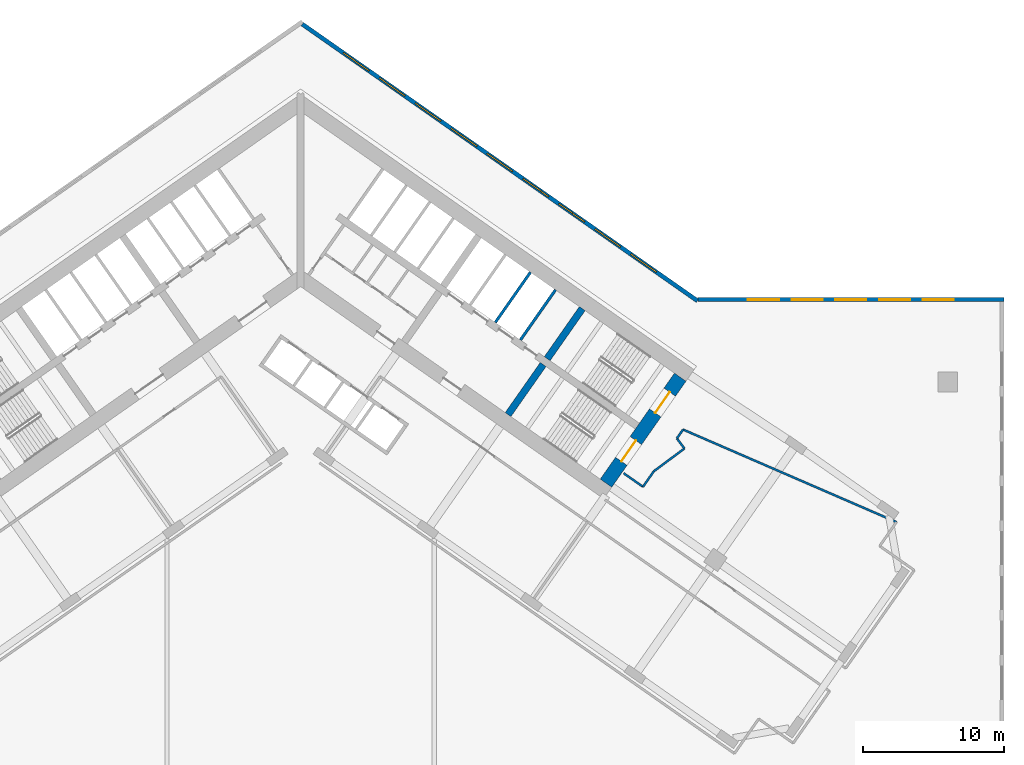
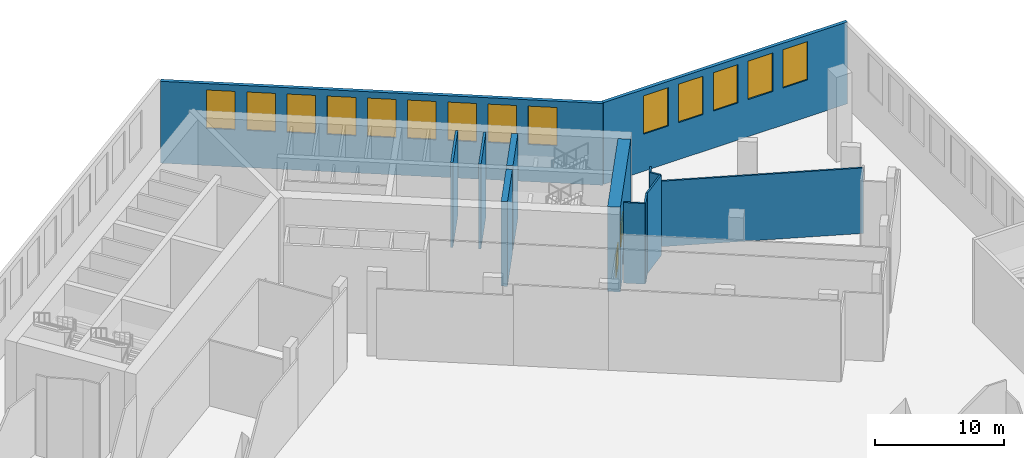
# One storey, part 12 of 27: 14 windows, 13 walls, 2 doors, 16 openings.
"""IFC4 building model written with IfcOpenShell, lengths in metres."""

from ifc_helpers import new_model, si_unit, direction, frame, frame_2d, origin, place, context, subcontext, project, spatial, polyline, rectangle, outline, extrude, material, layer, layer_set, type_object, element, fill, save


model = new_model("IFC4")

# Units and contexts
model_context = context("Model", 3, precision=1e-05, world=origin(), true_north=direction((0.0, 1.0)))
body_context = subcontext(model_context, "Body", "Model", "MODEL_VIEW")
ifc_project = project(units=[si_unit("LENGTHUNIT", "METRE"), si_unit("AREAUNIT", "SQUARE_METRE"), si_unit("VOLUMEUNIT", "CUBIC_METRE"), si_unit("PLANEANGLEUNIT", "RADIAN"), si_unit("MASSUNIT", "GRAM", prefix="KILO")], contexts=[model_context])

# Site, building, storey
site_placement = place(None, origin())
site = spatial("IfcSite", under=ifc_project, at=site_placement, CompositionType="ELEMENT")
building_placement = place(site_placement, origin())
building = spatial("IfcBuilding", under=site, at=building_placement, Name="Tel Ilan Convention Tower", CompositionType="ELEMENT")
storey_placement = place(building_placement, frame((0.0, 0.0, 18.0)))
storey = spatial("IfcBuildingStorey", under=building, at=storey_placement, Name="L02", CompositionType="ELEMENT", Elevation=18.0)

# Wall, openings, doors
ifc_material_1 = material(Name="Concrete C60/75", Category="concrete")
ifc_layer_1 = layer(ifc_material_1, 1.0)
ifc_layer_set_1 = layer_set([ifc_layer_1], Name="Core Shear Wall 1000 mm C60/75")
wall_type_1 = type_object("IfcWallType", Name="Core Shear Wall 1000 mm C60/75", PredefinedType="SHEAR", material=ifc_layer_set_1)
wall_1_placement = place(storey_placement, frame((21.70751953125, -15.19970703125, 0.0), z_axis=(0.0, 0.0, 1.0), x_axis=(0.573576324356, 0.819152122709, 0.0)))
wall_1 = element("IfcWall", 1, at=wall_1_placement, inside=storey, type_object=wall_type_1, Name="L02 core wall E-end", PredefinedType="SHEAR", context=body_context, shape_type="SweptSolid", body=[
    extrude(outline(polyline([(9.199951171875, 0.5), (0.0, 0.5), (0.0, -0.5), (9.199951171875, -0.5), (9.199951171875, 0.5)])), origin(), (0.0, 0.0, 1.0), 8.0),
])
opening_1_placement = place(wall_1_placement, frame((6.10009765625, 0.0, 0.0)))
opening_1 = element("IfcOpeningElement", 2, at=opening_1_placement, cuts=wall_1, Name="Opening SD0503", PredefinedType="OPENING", context=body_context, shape_type="SweptSolid", body=[
    extrude(rectangle(XDim=1.800048828125, YDim=2.10009765625, at=frame_2d((0.89990234375, 1.050048828125))), frame((0.0, 0.510009765625, 0.0), z_axis=(0.0, -1.0, 0.0), x_axis=(1.0, 0.0, 0.0)), (0.0, 0.0, 1.0), 1.02001953125),
])
opening_2_placement = place(wall_1_placement, frame((1.89990234375, 0.0, 0.0)))
opening_2 = element("IfcOpeningElement", 3, at=opening_2_placement, cuts=wall_1, Name="Opening SD0504", PredefinedType="OPENING", context=body_context, shape_type="SweptSolid", body=[
    extrude(rectangle(XDim=1.800048828125, YDim=2.10009765625, at=frame_2d((0.89990234375, 1.050048828125))), frame((0.0, 0.510009765625, 0.0), z_axis=(0.0, -1.0, 0.0), x_axis=(1.0, 0.0, 0.0)), (0.0, 0.0, 1.0), 1.02001953125),
])
ifc_material_2 = material(Name="Galvanised Steel Door Leaf", Category="steel")
door_type = type_object("IfcDoorType", Name="Stair Fire Door 1800 x 2100 FD60S", OperationType="NOTDEFINED", PredefinedType="DOOR", material=ifc_material_2)
door_1_placement = place(opening_1_placement, origin())
door_1 = element("IfcDoor", 4, at=door_1_placement, inside=storey, type_object=door_type, Name="Stair S3 door", OperationType="DOUBLE_DOOR_SINGLE_SWING", OverallHeight=2.10009765625, OverallWidth=1.800048828125, PredefinedType="DOOR", context=body_context, shape_type="SweptSolid", body=[
    extrude(rectangle(XDim=1.800048828125, YDim=2.10009765625, at=frame_2d((0.89990234375, 1.050048828125))), frame((0.0, 0.02490234375, 0.0), z_axis=(0.0, -1.0, 0.0), x_axis=(1.0, 0.0, 0.0)), (0.0, 0.0, 1.0), 0.050048828125),
])
fill(opening_1, door_1)
door_2_placement = place(opening_2_placement, origin())
door_2 = element("IfcDoor", 5, at=door_2_placement, inside=storey, type_object=door_type, Name="Stair S4 door", OperationType="DOUBLE_DOOR_SINGLE_SWING", OverallHeight=2.10009765625, OverallWidth=1.800048828125, PredefinedType="DOOR", context=body_context, shape_type="SweptSolid", body=[
    extrude(rectangle(XDim=1.800048828125, YDim=2.10009765625, at=frame_2d((0.89990234375, 1.050048828125))), frame((0.0, 0.02490234375, 0.0), z_axis=(0.0, -1.0, 0.0), x_axis=(1.0, 0.0, 0.0)), (0.0, 0.0, 1.0), 0.050048828125),
])
fill(opening_2, door_2)

# Walls
ifc_material_3 = material(Name="Concrete C60/75", Category="concrete")
ifc_layer_2 = layer(ifc_material_3, 0.5)
ifc_layer_set_2 = layer_set([ifc_layer_2], Name="Core Shear Wall 500 mm C60/75")
wall_type_2 = type_object("IfcWallType", Name="Core Shear Wall 500 mm C60/75", PredefinedType="SHEAR", material=ifc_layer_set_2)
wall_2_placement = place(storey_placement, frame((14.74462890625, -10.324462890625, 0.0), z_axis=(0.0, 0.0, 1.0), x_axis=(0.57356780395, 0.819158088694, 0.0)))
element("IfcWall", 6, at=wall_2_placement, inside=storey, type_object=wall_type_2, Name="L02 core wall E-cross2-1", PredefinedType="SHEAR", context=body_context, shape_type="SweptSolid", body=[
    extrude(outline(polyline([(0.0, 0.25), (0.0, -0.25), (4.35009765625, -0.250244140625), (4.35009765625, 0.25), (0.0, 0.25)])), origin(), (0.0, 0.0, 1.0), 8.0),
])
wall_3_placement = place(storey_placement, frame((17.526611328125, -6.3515625, 0.0), z_axis=(0.0, 0.0, 1.0), x_axis=(0.573530143085, 0.819184457233, 0.0)))
element("IfcWall", 7, at=wall_3_placement, inside=storey, type_object=wall_type_2, Name="L02 core wall E-cross2-2", PredefinedType="SHEAR", context=body_context, shape_type="SweptSolid", body=[
    extrude(outline(polyline([(4.35009765625, -0.250244140625), (4.35009765625, 0.249755859375), (0.0, 0.25), (0.0, -0.25), (4.35009765625, -0.250244140625)])), origin(), (0.0, 0.0, 1.0), 8.0),
])
ifc_material_4 = material(Name="Plasterboard on Steel Studs", Category="steel")
ifc_layer_3 = layer(ifc_material_4, 0.14990234375)
ifc_layer_set_3 = layer_set([ifc_layer_3], Name="Fire-rated Partition 150 EI 60")
wall_type_3 = type_object("IfcWallType", Name="Fire-rated Partition 150 EI 60", PredefinedType="PARTITIONING", material=ifc_layer_set_3)
wall_4_placement = place(storey_placement, frame((26.74609375, -12.013671875, 0.0), z_axis=(0.0, 0.0, 1.0), x_axis=(0.573761975376, 0.819022097146, 0.0)))
element("IfcWall", 8, at=wall_4_placement, inside=storey, type_object=wall_type_3, Name="Partition 011", PredefinedType="PARTITIONING", context=body_context, shape_type="SweptSolid", body=[
    extrude(rectangle(XDim=0.765380859375, YDim=0.14990234375, at=frame_2d((0.3828125, 0.0))), origin(), (0.0, 0.0, 1.0), 7.60009765625),
])
wall_5_placement = place(storey_placement, frame((27.185302734375, -11.38671875, 0.0), z_axis=(0.0, 0.0, 1.0), x_axis=(0.917531384635, -0.397663372979, 0.0)))
element("IfcWall", 9, at=wall_5_placement, inside=storey, type_object=wall_type_3, Name="Partition 012", PredefinedType="PARTITIONING", context=body_context, shape_type="SweptSolid", body=[
    extrude(rectangle(XDim=16.535888671875, YDim=0.14990234375, at=frame_2d((8.26806640625, 0.0))), origin(), (0.0, 0.0, 1.0), 6.179931640625),
])
wall_6_placement = place(storey_placement, frame((22.961181640625, -14.490478515625, 0.0), z_axis=(0.0, 0.0, 1.0), x_axis=(0.819109000826, -0.573637903879, 0.0)))
element("IfcWall", 10, at=wall_6_placement, inside=storey, type_object=wall_type_3, Name="Partition 013", PredefinedType="PARTITIONING", context=body_context, shape_type="SweptSolid", body=[
    extrude(rectangle(XDim=1.679931640625, YDim=0.14990234375, at=frame_2d((0.83984375, 0.0))), origin(), (0.0, 0.0, 1.0), 7.60009765625),
])
wall_7_placement = place(storey_placement, frame((24.337158203125, -15.4541015625, 0.0), z_axis=(0.0, 0.0, 1.0), x_axis=(0.573571252353, 0.819155674139, 0.0)))
element("IfcWall", 11, at=wall_7_placement, inside=storey, type_object=wall_type_3, Name="Partition 014", PredefinedType="PARTITIONING", context=body_context, shape_type="SweptSolid", body=[
    extrude(rectangle(XDim=1.35400390625, YDim=0.14990234375, at=frame_2d((0.677001953125, 0.0))), origin(), (0.0, 0.0, 1.0), 7.60009765625),
])
wall_8_placement = place(storey_placement, frame((25.11376953125, -14.344970703125, 0.0), z_axis=(0.0, 0.0, 1.0), x_axis=(0.803211070557, 0.595694532571, 0.0)))
element("IfcWall", 12, at=wall_8_placement, inside=storey, type_object=wall_type_3, Name="Partition 015", PredefinedType="PARTITIONING", context=body_context, shape_type="SweptSolid", body=[
    extrude(rectangle(XDim=2.699951171875, YDim=0.14990234375, at=frame_2d((1.35009765625, 0.0))), origin(), (0.0, 0.0, 1.0), 7.60009765625),
])
wall_9_placement = place(storey_placement, frame((27.282470703125, -12.736572265625, 0.0), z_axis=(0.0, 0.0, 1.0), x_axis=(-0.595869495235, 0.803081281471, 0.0)))
element("IfcWall", 13, at=wall_9_placement, inside=storey, type_object=wall_type_3, Name="Partition 016", PredefinedType="PARTITIONING", context=body_context, shape_type="SweptSolid", body=[
    extrude(rectangle(XDim=0.900146484375, YDim=0.14990234375, at=frame_2d((0.4501953125, 0.0))), origin(), (0.0, 0.0, 1.0), 7.60009765625),
])
ifc_material_5 = material(Name="Concrete C30/37", Category="concrete")
ifc_layer_4 = layer(ifc_material_5, 0.199951171875)
ifc_layer_set_4 = layer_set([ifc_layer_4], Name="Lift Shaft Wall 200 mm C30/37")
wall_type_4 = type_object("IfcWallType", Name="Lift Shaft Wall 200 mm C30/37", PredefinedType="SOLIDWALL", material=ifc_layer_set_4)
wall_10_placement = place(storey_placement, frame((13.84033203125, -3.7705078125, 0.0), z_axis=(0.0, 0.0, 1.0), x_axis=(0.57356780395, 0.819158088694, 0.0)))
element("IfcWall", 14, at=wall_10_placement, inside=storey, type_object=wall_type_4, Name="L02 core wall bank-E2-p1", PredefinedType="SOLIDWALL", context=body_context, shape_type="SweptSolid", body=[
    extrude(rectangle(XDim=4.35009765625, YDim=0.199951171875, at=frame_2d((2.175048828125, 0.0))), origin(), (0.0, 0.0, 1.0), 8.0),
])
wall_11_placement = place(storey_placement, frame((15.6220703125, -5.017822265625, 0.0), z_axis=(0.0, 0.0, 1.0), x_axis=(0.573594173421, 0.819139624372, 0.0)))
element("IfcWall", 15, at=wall_11_placement, inside=storey, type_object=wall_type_4, Name="L02 core wall bank-E2-p2", PredefinedType="SOLIDWALL", context=body_context, shape_type="SweptSolid", body=[
    extrude(rectangle(XDim=4.349853515625, YDim=0.199951171875, at=frame_2d((2.1748046875, 0.0))), origin(), (0.0, 0.0, 1.0), 8.0),
])

# Wall, openings, windows
ifc_material_6 = material(Name="Bronze aluminium cladding panel on insulated steel frame", Category="steel")
ifc_layer_5 = layer(ifc_material_6, 0.300048828125)
ifc_layer_set_5 = layer_set([ifc_layer_5], Name="PODIUM CLADDING WALL 300")
wall_type_5 = type_object("IfcWallType", Name="PODIUM CLADDING WALL 300", PredefinedType="SOLIDWALL", material=ifc_layer_set_5)
wall_12_placement = place(storey_placement, frame((0.122802734375, 17.43212890625, 0.0), z_axis=(0.0, 0.0, 1.0), x_axis=(0.819151970339, -0.573576541963, 0.0)))
wall_12 = element("IfcWall", 16, at=wall_12_placement, inside=storey, type_object=wall_type_5, Name="Podium cladding wall", PredefinedType="SOLIDWALL", context=body_context, shape_type="SweptSolid", body=[
    extrude(rectangle(XDim=34.29052734375, YDim=0.300048828125, at=frame_2d((17.145263671875, 0.0))), origin(), (0.0, 0.0, 1.0), 7.719970703125),
])
opening_3_placement = place(wall_12_placement, frame((3.5673828125, 0.0, 3.5)))
opening_3 = element("IfcOpeningElement", 17, at=opening_3_placement, cuts=wall_12, Name="Opening W-05.040", PredefinedType="OPENING", context=body_context, shape_type="SweptSolid", body=[
    extrude(rectangle(XDim=2.21728515625, YDim=3.6201171875, at=frame_2d((1.108642578125, 1.81005859375))), frame((0.0, 0.159912109375, 0.0), z_axis=(0.0, -1.0, 0.0), x_axis=(1.0, 0.0, 0.0)), (0.0, 0.0, 1.0), 0.320068359375),
])
opening_4_placement = place(wall_12_placement, frame((6.6845703125, 0.0, 3.5)))
opening_4 = element("IfcOpeningElement", 18, at=opening_4_placement, cuts=wall_12, Name="Opening W-05.041", PredefinedType="OPENING", context=body_context, shape_type="SweptSolid", body=[
    extrude(rectangle(XDim=2.21728515625, YDim=3.6201171875, at=frame_2d((1.108642578125, 1.81005859375))), frame((0.0, 0.159912109375, 0.0), z_axis=(0.0, -1.0, 0.0), x_axis=(1.0, 0.0, 0.0)), (0.0, 0.0, 1.0), 0.320068359375),
])
opening_5_placement = place(wall_12_placement, frame((9.802001953125, 0.0, 3.5)))
opening_5 = element("IfcOpeningElement", 19, at=opening_5_placement, cuts=wall_12, Name="Opening W-05.042", PredefinedType="OPENING", context=body_context, shape_type="SweptSolid", body=[
    extrude(rectangle(XDim=2.21728515625, YDim=3.6201171875, at=frame_2d((1.108642578125, 1.81005859375))), frame((0.0, 0.159912109375, 0.0), z_axis=(0.0, -1.0, 0.0), x_axis=(1.0, 0.0, 0.0)), (0.0, 0.0, 1.0), 0.320068359375),
])
opening_6_placement = place(wall_12_placement, frame((12.919189453125, 0.0, 3.5)))
opening_6 = element("IfcOpeningElement", 20, at=opening_6_placement, cuts=wall_12, Name="Opening W-05.043", PredefinedType="OPENING", context=body_context, shape_type="SweptSolid", body=[
    extrude(rectangle(XDim=2.21728515625, YDim=3.6201171875, at=frame_2d((1.108642578125, 1.81005859375))), frame((0.0, 0.159912109375, 0.0), z_axis=(0.0, -1.0, 0.0), x_axis=(1.0, 0.0, 0.0)), (0.0, 0.0, 1.0), 0.320068359375),
])
opening_7_placement = place(wall_12_placement, frame((16.03662109375, 0.0, 3.5)))
opening_7 = element("IfcOpeningElement", 21, at=opening_7_placement, cuts=wall_12, Name="Opening W-05.044", PredefinedType="OPENING", context=body_context, shape_type="SweptSolid", body=[
    extrude(rectangle(XDim=2.21728515625, YDim=3.6201171875, at=frame_2d((1.108642578125, 1.81005859375))), frame((0.0, 0.159912109375, 0.0), z_axis=(0.0, -1.0, 0.0), x_axis=(1.0, 0.0, 0.0)), (0.0, 0.0, 1.0), 0.320068359375),
])
opening_8_placement = place(wall_12_placement, frame((19.15380859375, 0.0, 3.5)))
opening_8 = element("IfcOpeningElement", 22, at=opening_8_placement, cuts=wall_12, Name="Opening W-05.045", PredefinedType="OPENING", context=body_context, shape_type="SweptSolid", body=[
    extrude(rectangle(XDim=2.21728515625, YDim=3.6201171875, at=frame_2d((1.108642578125, 1.81005859375))), frame((0.0, 0.159912109375, 0.0), z_axis=(0.0, -1.0, 0.0), x_axis=(1.0, 0.0, 0.0)), (0.0, 0.0, 1.0), 0.320068359375),
])
opening_9_placement = place(wall_12_placement, frame((22.27099609375, 0.0, 3.5)))
opening_9 = element("IfcOpeningElement", 23, at=opening_9_placement, cuts=wall_12, Name="Opening W-05.046", PredefinedType="OPENING", context=body_context, shape_type="SweptSolid", body=[
    extrude(rectangle(XDim=2.21728515625, YDim=3.6201171875, at=frame_2d((1.108642578125, 1.81005859375))), frame((0.0, 0.159912109375, 0.0), z_axis=(0.0, -1.0, 0.0), x_axis=(1.0, 0.0, 0.0)), (0.0, 0.0, 1.0), 0.320068359375),
])
opening_10_placement = place(wall_12_placement, frame((25.388427734375, 0.0, 3.5)))
opening_10 = element("IfcOpeningElement", 24, at=opening_10_placement, cuts=wall_12, Name="Opening W-05.047", PredefinedType="OPENING", context=body_context, shape_type="SweptSolid", body=[
    extrude(rectangle(XDim=2.21728515625, YDim=3.6201171875, at=frame_2d((1.108642578125, 1.81005859375))), frame((0.0, 0.159912109375, 0.0), z_axis=(0.0, -1.0, 0.0), x_axis=(1.0, 0.0, 0.0)), (0.0, 0.0, 1.0), 0.320068359375),
])
opening_11_placement = place(wall_12_placement, frame((28.505615234375, 0.0, 3.5)))
opening_11 = element("IfcOpeningElement", 25, at=opening_11_placement, cuts=wall_12, Name="Opening W-05.048", PredefinedType="OPENING", context=body_context, shape_type="SweptSolid", body=[
    extrude(rectangle(XDim=2.21728515625, YDim=3.6201171875, at=frame_2d((1.108642578125, 1.81005859375))), frame((0.0, 0.159912109375, 0.0), z_axis=(0.0, -1.0, 0.0), x_axis=(1.0, 0.0, 0.0)), (0.0, 0.0, 1.0), 0.320068359375),
])
ifc_material_7 = material(Name="Aluminium framed glazing, bronze anodised, tinted glass", Category="aluminium")
window_type_1 = type_object("IfcWindowType", Name="PODIUM WINDOW 2217x3620", PartitioningType="SINGLE_PANEL", PredefinedType="WINDOW", material=ifc_material_7)
window_1_placement = place(opening_3_placement, origin())
window_1 = element("IfcWindow", 26, at=window_1_placement, inside=storey, type_object=window_type_1, Name="Podium window", OverallHeight=3.6201171875, OverallWidth=2.21728515625, PartitioningType="SINGLE_PANEL", PredefinedType="WINDOW", context=body_context, shape_type="SweptSolid", body=[
    extrude(rectangle(XDim=2.21728515625, YDim=3.6201171875, at=frame_2d((1.108642578125, 1.81005859375))), frame((0.0, 0.030029296875, 0.0), z_axis=(0.0, -1.0, 0.0), x_axis=(1.0, 0.0, 0.0)), (0.0, 0.0, 1.0), 0.06005859375),
])
fill(opening_3, window_1)
window_2_placement = place(opening_4_placement, origin())
window_2 = element("IfcWindow", 27, at=window_2_placement, inside=storey, type_object=window_type_1, Name="Podium window", OverallHeight=3.6201171875, OverallWidth=2.21728515625, PartitioningType="SINGLE_PANEL", PredefinedType="WINDOW", context=body_context, shape_type="SweptSolid", body=[
    extrude(rectangle(XDim=2.21728515625, YDim=3.6201171875, at=frame_2d((1.108642578125, 1.81005859375))), frame((0.0, 0.030029296875, 0.0), z_axis=(0.0, -1.0, 0.0), x_axis=(1.0, 0.0, 0.0)), (0.0, 0.0, 1.0), 0.06005859375),
])
fill(opening_4, window_2)
window_3_placement = place(opening_5_placement, origin())
window_3 = element("IfcWindow", 28, at=window_3_placement, inside=storey, type_object=window_type_1, Name="Podium window", OverallHeight=3.6201171875, OverallWidth=2.21728515625, PartitioningType="SINGLE_PANEL", PredefinedType="WINDOW", context=body_context, shape_type="SweptSolid", body=[
    extrude(rectangle(XDim=2.21728515625, YDim=3.6201171875, at=frame_2d((1.108642578125, 1.81005859375))), frame((0.0, 0.030029296875, 0.0), z_axis=(0.0, -1.0, 0.0), x_axis=(1.0, 0.0, 0.0)), (0.0, 0.0, 1.0), 0.06005859375),
])
fill(opening_5, window_3)
window_4_placement = place(opening_6_placement, origin())
window_4 = element("IfcWindow", 29, at=window_4_placement, inside=storey, type_object=window_type_1, Name="Podium window", OverallHeight=3.6201171875, OverallWidth=2.21728515625, PartitioningType="SINGLE_PANEL", PredefinedType="WINDOW", context=body_context, shape_type="SweptSolid", body=[
    extrude(rectangle(XDim=2.21728515625, YDim=3.6201171875, at=frame_2d((1.108642578125, 1.81005859375))), frame((0.0, 0.030029296875, 0.0), z_axis=(0.0, -1.0, 0.0), x_axis=(1.0, 0.0, 0.0)), (0.0, 0.0, 1.0), 0.06005859375),
])
fill(opening_6, window_4)
window_5_placement = place(opening_7_placement, origin())
window_5 = element("IfcWindow", 30, at=window_5_placement, inside=storey, type_object=window_type_1, Name="Podium window", OverallHeight=3.6201171875, OverallWidth=2.21728515625, PartitioningType="SINGLE_PANEL", PredefinedType="WINDOW", context=body_context, shape_type="SweptSolid", body=[
    extrude(rectangle(XDim=2.21728515625, YDim=3.6201171875, at=frame_2d((1.108642578125, 1.81005859375))), frame((0.0, 0.030029296875, 0.0), z_axis=(0.0, -1.0, 0.0), x_axis=(1.0, 0.0, 0.0)), (0.0, 0.0, 1.0), 0.06005859375),
])
fill(opening_7, window_5)
window_6_placement = place(opening_8_placement, origin())
window_6 = element("IfcWindow", 31, at=window_6_placement, inside=storey, type_object=window_type_1, Name="Podium window", OverallHeight=3.6201171875, OverallWidth=2.21728515625, PartitioningType="SINGLE_PANEL", PredefinedType="WINDOW", context=body_context, shape_type="SweptSolid", body=[
    extrude(rectangle(XDim=2.21728515625, YDim=3.6201171875, at=frame_2d((1.108642578125, 1.81005859375))), frame((0.0, 0.030029296875, 0.0), z_axis=(0.0, -1.0, 0.0), x_axis=(1.0, 0.0, 0.0)), (0.0, 0.0, 1.0), 0.06005859375),
])
fill(opening_8, window_6)
window_7_placement = place(opening_9_placement, origin())
window_7 = element("IfcWindow", 32, at=window_7_placement, inside=storey, type_object=window_type_1, Name="Podium window", OverallHeight=3.6201171875, OverallWidth=2.21728515625, PartitioningType="SINGLE_PANEL", PredefinedType="WINDOW", context=body_context, shape_type="SweptSolid", body=[
    extrude(rectangle(XDim=2.21728515625, YDim=3.6201171875, at=frame_2d((1.108642578125, 1.81005859375))), frame((0.0, 0.030029296875, 0.0), z_axis=(0.0, -1.0, 0.0), x_axis=(1.0, 0.0, 0.0)), (0.0, 0.0, 1.0), 0.06005859375),
])
fill(opening_9, window_7)
window_8_placement = place(opening_10_placement, origin())
window_8 = element("IfcWindow", 33, at=window_8_placement, inside=storey, type_object=window_type_1, Name="Podium window", OverallHeight=3.6201171875, OverallWidth=2.21728515625, PartitioningType="SINGLE_PANEL", PredefinedType="WINDOW", context=body_context, shape_type="SweptSolid", body=[
    extrude(rectangle(XDim=2.21728515625, YDim=3.6201171875, at=frame_2d((1.108642578125, 1.81005859375))), frame((0.0, 0.030029296875, 0.0), z_axis=(0.0, -1.0, 0.0), x_axis=(1.0, 0.0, 0.0)), (0.0, 0.0, 1.0), 0.06005859375),
])
fill(opening_10, window_8)
window_9_placement = place(opening_11_placement, origin())
window_9 = element("IfcWindow", 34, at=window_9_placement, inside=storey, type_object=window_type_1, Name="Podium window", OverallHeight=3.6201171875, OverallWidth=2.21728515625, PartitioningType="SINGLE_PANEL", PredefinedType="WINDOW", context=body_context, shape_type="SweptSolid", body=[
    extrude(rectangle(XDim=2.21728515625, YDim=3.6201171875, at=frame_2d((1.108642578125, 1.81005859375))), frame((0.0, 0.030029296875, 0.0), z_axis=(0.0, -1.0, 0.0), x_axis=(1.0, 0.0, 0.0)), (0.0, 0.0, 1.0), 0.06005859375),
])
fill(opening_11, window_9)

wall_13_placement = place(storey_placement, frame((28.239013671875, -2.14990234375, 0.0), z_axis=(0.0, 0.0, 1.0), x_axis=(1.0, 0.0, 0.0)))
wall_13 = element("IfcWall", 35, at=wall_13_placement, inside=storey, type_object=wall_type_5, Name="Podium cladding wall", PredefinedType="SOLIDWALL", context=body_context, shape_type="SweptSolid", body=[
    extrude(rectangle(XDim=21.760986328125, YDim=0.300048828125, at=frame_2d((10.88037109375, 0.0))), origin(), (0.0, 0.0, 1.0), 7.719970703125),
])
opening_12_placement = place(wall_13_placement, frame((3.558837890625, 0.0, 3.5)))
opening_12 = element("IfcOpeningElement", 36, at=opening_12_placement, cuts=wall_13, Name="Opening W-05.049", PredefinedType="OPENING", context=body_context, shape_type="SweptSolid", body=[
    extrude(rectangle(XDim=2.208740234375, YDim=3.6201171875, at=frame_2d((1.1044921875, 1.81005859375))), frame((0.0, 0.159912109375, 0.0), z_axis=(0.0, -1.0, 0.0), x_axis=(1.0, 0.0, 0.0)), (0.0, 0.0, 1.0), 0.320068359375),
])
opening_13_placement = place(wall_13_placement, frame((6.66748046875, 0.0, 3.5)))
opening_13 = element("IfcOpeningElement", 37, at=opening_13_placement, cuts=wall_13, Name="Opening W-05.050", PredefinedType="OPENING", context=body_context, shape_type="SweptSolid", body=[
    extrude(rectangle(XDim=2.208740234375, YDim=3.6201171875, at=frame_2d((1.1044921875, 1.81005859375))), frame((0.0, 0.159912109375, 0.0), z_axis=(0.0, -1.0, 0.0), x_axis=(1.0, 0.0, 0.0)), (0.0, 0.0, 1.0), 0.320068359375),
])
opening_14_placement = place(wall_13_placement, frame((9.776123046875, 0.0, 3.5)))
opening_14 = element("IfcOpeningElement", 38, at=opening_14_placement, cuts=wall_13, Name="Opening W-05.051", PredefinedType="OPENING", context=body_context, shape_type="SweptSolid", body=[
    extrude(rectangle(XDim=2.208740234375, YDim=3.6201171875, at=frame_2d((1.1044921875, 1.81005859375))), frame((0.0, 0.159912109375, 0.0), z_axis=(0.0, -1.0, 0.0), x_axis=(1.0, 0.0, 0.0)), (0.0, 0.0, 1.0), 0.320068359375),
])
opening_15_placement = place(wall_13_placement, frame((12.884765625, 0.0, 3.5)))
opening_15 = element("IfcOpeningElement", 39, at=opening_15_placement, cuts=wall_13, Name="Opening W-05.052", PredefinedType="OPENING", context=body_context, shape_type="SweptSolid", body=[
    extrude(rectangle(XDim=2.208740234375, YDim=3.6201171875, at=frame_2d((1.1044921875, 1.81005859375))), frame((0.0, 0.159912109375, 0.0), z_axis=(0.0, -1.0, 0.0), x_axis=(1.0, 0.0, 0.0)), (0.0, 0.0, 1.0), 0.320068359375),
])
opening_16_placement = place(wall_13_placement, frame((15.99365234375, 0.0, 3.5)))
opening_16 = element("IfcOpeningElement", 40, at=opening_16_placement, cuts=wall_13, Name="Opening W-05.053", PredefinedType="OPENING", context=body_context, shape_type="SweptSolid", body=[
    extrude(rectangle(XDim=2.208740234375, YDim=3.6201171875, at=frame_2d((1.1044921875, 1.81005859375))), frame((0.0, 0.159912109375, 0.0), z_axis=(0.0, -1.0, 0.0), x_axis=(1.0, 0.0, 0.0)), (0.0, 0.0, 1.0), 0.320068359375),
])
ifc_material_8 = material(Name="Aluminium framed glazing, bronze anodised, tinted glass", Category="aluminium")
window_type_2 = type_object("IfcWindowType", Name="PODIUM WINDOW 2209x3620", PartitioningType="SINGLE_PANEL", PredefinedType="WINDOW", material=ifc_material_8)
window_10_placement = place(opening_12_placement, origin())
window_10 = element("IfcWindow", 41, at=window_10_placement, inside=storey, type_object=window_type_2, Name="Podium window", OverallHeight=3.6201171875, OverallWidth=2.208740234375, PartitioningType="SINGLE_PANEL", PredefinedType="WINDOW", context=body_context, shape_type="SweptSolid", body=[
    extrude(rectangle(XDim=2.208740234375, YDim=3.6201171875, at=frame_2d((1.1044921875, 1.81005859375))), frame((0.0, 0.030029296875, 0.0), z_axis=(0.0, -1.0, 0.0), x_axis=(1.0, 0.0, 0.0)), (0.0, 0.0, 1.0), 0.06005859375),
])
fill(opening_12, window_10)
window_11_placement = place(opening_13_placement, origin())
window_11 = element("IfcWindow", 42, at=window_11_placement, inside=storey, type_object=window_type_2, Name="Podium window", OverallHeight=3.6201171875, OverallWidth=2.208740234375, PartitioningType="SINGLE_PANEL", PredefinedType="WINDOW", context=body_context, shape_type="SweptSolid", body=[
    extrude(rectangle(XDim=2.208740234375, YDim=3.6201171875, at=frame_2d((1.1044921875, 1.81005859375))), frame((0.0, 0.030029296875, 0.0), z_axis=(0.0, -1.0, 0.0), x_axis=(1.0, 0.0, 0.0)), (0.0, 0.0, 1.0), 0.06005859375),
])
fill(opening_13, window_11)
window_12_placement = place(opening_14_placement, origin())
window_12 = element("IfcWindow", 43, at=window_12_placement, inside=storey, type_object=window_type_2, Name="Podium window", OverallHeight=3.6201171875, OverallWidth=2.208740234375, PartitioningType="SINGLE_PANEL", PredefinedType="WINDOW", context=body_context, shape_type="SweptSolid", body=[
    extrude(rectangle(XDim=2.208740234375, YDim=3.6201171875, at=frame_2d((1.1044921875, 1.81005859375))), frame((0.0, 0.030029296875, 0.0), z_axis=(0.0, -1.0, 0.0), x_axis=(1.0, 0.0, 0.0)), (0.0, 0.0, 1.0), 0.06005859375),
])
fill(opening_14, window_12)
window_13_placement = place(opening_15_placement, origin())
window_13 = element("IfcWindow", 44, at=window_13_placement, inside=storey, type_object=window_type_2, Name="Podium window", OverallHeight=3.6201171875, OverallWidth=2.208740234375, PartitioningType="SINGLE_PANEL", PredefinedType="WINDOW", context=body_context, shape_type="SweptSolid", body=[
    extrude(rectangle(XDim=2.208740234375, YDim=3.6201171875, at=frame_2d((1.1044921875, 1.81005859375))), frame((0.0, 0.030029296875, 0.0), z_axis=(0.0, -1.0, 0.0), x_axis=(1.0, 0.0, 0.0)), (0.0, 0.0, 1.0), 0.06005859375),
])
fill(opening_15, window_13)
window_14_placement = place(opening_16_placement, origin())
window_14 = element("IfcWindow", 45, at=window_14_placement, inside=storey, type_object=window_type_2, Name="Podium window", OverallHeight=3.6201171875, OverallWidth=2.208740234375, PartitioningType="SINGLE_PANEL", PredefinedType="WINDOW", context=body_context, shape_type="SweptSolid", body=[
    extrude(rectangle(XDim=2.208740234375, YDim=3.6201171875, at=frame_2d((1.1044921875, 1.81005859375))), frame((0.0, 0.030029296875, 0.0), z_axis=(0.0, -1.0, 0.0), x_axis=(1.0, 0.0, 0.0)), (0.0, 0.0, 1.0), 0.06005859375),
])
fill(opening_16, window_14)

save(model, "model.ifc")
